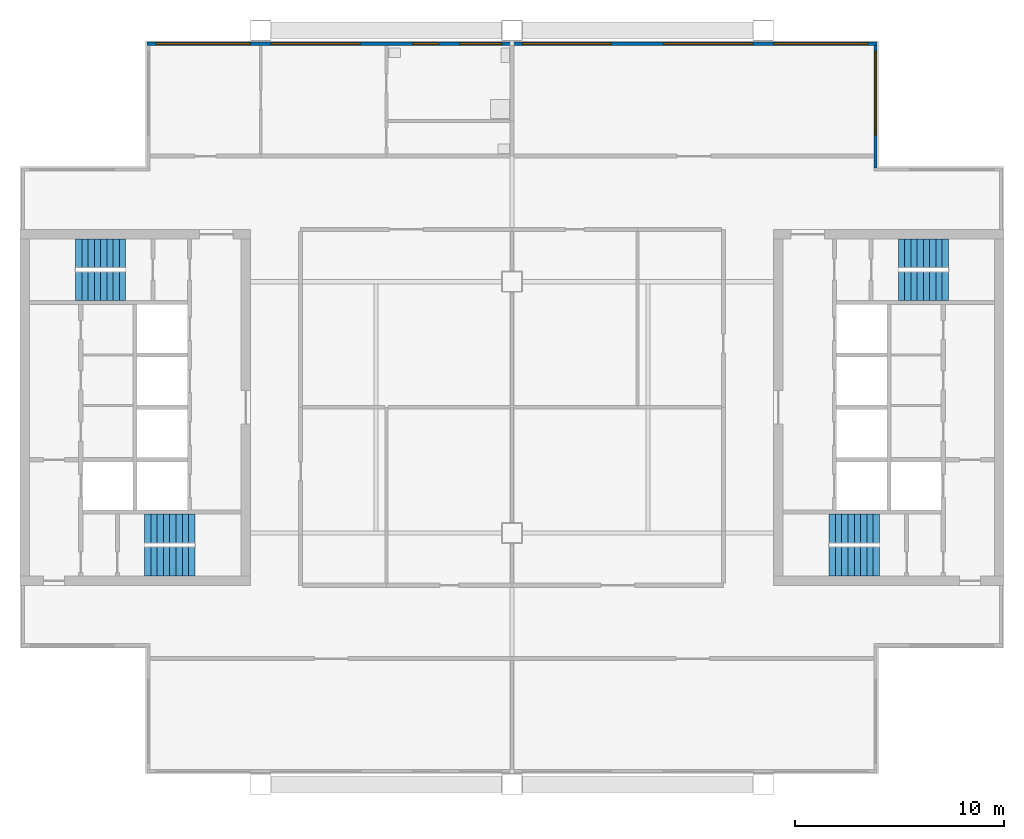
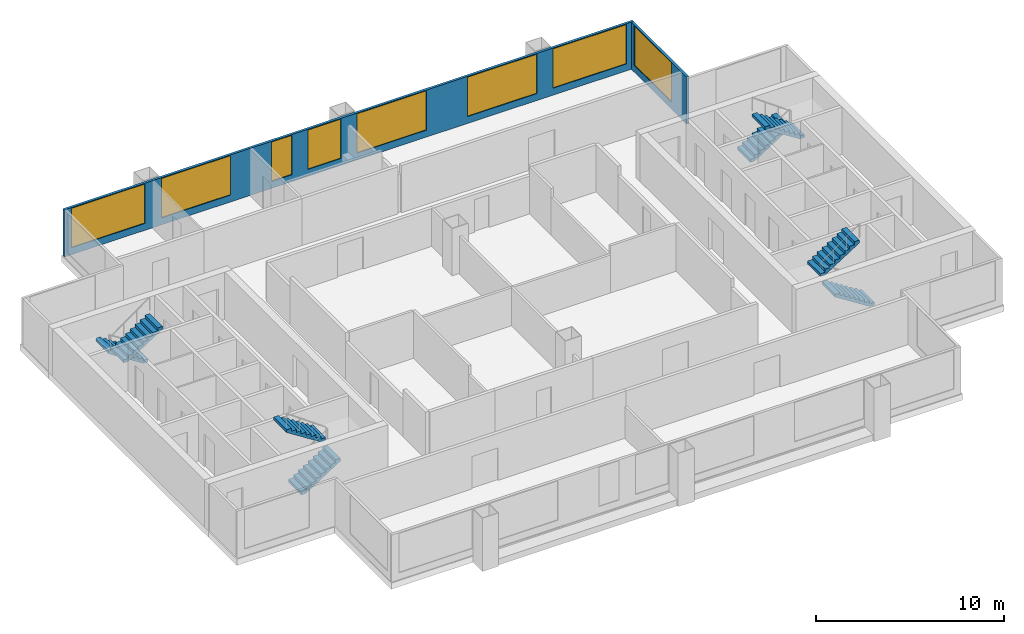
# One storey, part 5 of 7: 8 stair flights, 8 windows, 2 walls, 8 openings, 4 elements without a shape of their own.
"""IFC4 building model written with IfcOpenShell, lengths in metres."""

from ifc_helpers import new_model, si_unit, direction, frame, frame_2d, origin, place, context, subcontext, project, spatial, polyline, rectangle, outline, extrude, material, layer, layer_set, type_object, element, fill, aggregate, save


model = new_model("IFC4")

# Units and contexts
model_context = context("Model", 3, precision=1e-05, world=origin(), true_north=direction((0.0, 1.0)))
body_context = subcontext(model_context, "Body", "Model", "MODEL_VIEW")
ifc_project = project(units=[si_unit("LENGTHUNIT", "METRE"), si_unit("AREAUNIT", "SQUARE_METRE"), si_unit("VOLUMEUNIT", "CUBIC_METRE"), si_unit("PLANEANGLEUNIT", "RADIAN"), si_unit("MASSUNIT", "GRAM", prefix="KILO")], contexts=[model_context])

# Site, building, storey
site_placement = place(None, origin())
site = spatial("IfcSite", under=ifc_project, at=site_placement, CompositionType="ELEMENT")
building_placement = place(site_placement, origin())
building = spatial("IfcBuilding", under=site, at=building_placement, Name="Kitamizu Gate Tower and Museum", CompositionType="ELEMENT")
storey_placement = place(building_placement, frame((0.0, 0.0, 269.699951171875)))
storey = spatial("IfcBuildingStorey", under=building, at=storey_placement, Name="L73", CompositionType="ELEMENT", Elevation=269.699951171875)

# Wall, opening, window
ifc_material_1 = material(Name="Bronze anodised aluminium frame with insulated spandrel and tinted glass", Category="aluminium")
ifc_layer = layer(ifc_material_1, 0.14990234375)
ifc_layer_set = layer_set([ifc_layer], Name="Bronze anodised aluminium frame with insulated spandrel and tinted glass")
wall_type = type_object("IfcWallType", Name="WINDOW WALL 150 BRONZE FRAME EI 30", PredefinedType="ELEMENTEDWALL", material=ifc_layer_set)
wall_1_placement = place(storey_placement, frame((53.364990234375, 41.43994140625, 0.0), z_axis=(0.0, 0.0, 1.0), x_axis=(0.0, 1.0, 0.0)))
wall_1 = element("IfcWall", 1, at=wall_1_placement, inside=storey, type_object=wall_type, Name="Window wall east L73", PredefinedType="ELEMENTEDWALL", context=body_context, shape_type="SweptSolid", body=[
    extrude(rectangle(XDim=5.85009765625, YDim=0.14990234375, at=frame_2d((2.925048828125, 0.0))), origin(), (0.0, 0.0, 1.0), 3.050048828125),
])
opening_1_placement = place(wall_1_placement, frame((1.56005859375, 0.0, 0.449951171875)))
opening_1 = element("IfcOpeningElement", 2, at=opening_1_placement, cuts=wall_1, Name="Opening W16", PredefinedType="OPENING", context=body_context, shape_type="SweptSolid", body=[
    extrude(rectangle(XDim=4.0, YDim=2.550048828125, at=frame_2d((2.0, 1.27490234375))), frame((0.0, 0.0849609375, 0.0), z_axis=(0.0, -1.0, 0.0), x_axis=(1.0, 0.0, 0.0)), (0.0, 0.0, 1.0), 0.169921875),
])
ifc_material_2 = material(Name="Bronze anodised aluminium frame, tinted triple glazing", Category="aluminium")
window_type_1 = type_object("IfcWindowType", Name="WINDOW 4000 x 2550 SILL 450", PartitioningType="SINGLE_PANEL", PredefinedType="WINDOW", material=ifc_material_2)
window_1_placement = place(opening_1_placement, origin())
window_1 = element("IfcWindow", 3, at=window_1_placement, inside=storey, type_object=window_type_1, Name="Window W16 L73", OverallHeight=2.550048828125, OverallWidth=4.0, PartitioningType="SINGLE_PANEL", PredefinedType="WINDOW", context=body_context, shape_type="SweptSolid", body=[
    extrude(rectangle(XDim=4.0, YDim=2.550048828125, at=frame_2d((2.0, 1.27490234375))), frame((0.0, 0.030029296875, 0.0), z_axis=(0.0, -1.0, 0.0), x_axis=(1.0, 0.0, 0.0)), (0.0, 0.0, 1.0), 0.06005859375),
])
fill(opening_1, window_1)

# Wall, openings, windows
wall_2_placement = place(storey_placement, frame((18.56005859375, 47.364990234375, 0.0), z_axis=(0.0, 0.0, 1.0), x_axis=(1.0, 0.0, 0.0)))
wall_2 = element("IfcWall", 4, at=wall_2_placement, inside=storey, type_object=wall_type, Name="Window wall north L73", PredefinedType="ELEMENTEDWALL", context=body_context, shape_type="SweptSolid", body=[
    extrude(rectangle(XDim=34.8798828125, YDim=0.14990234375, at=frame_2d((17.43994140625, 0.0))), origin(), (0.0, 0.0, 1.0), 3.050048828125),
])
opening_2_placement = place(wall_2_placement, frame((0.43994140625, 0.0, 0.449951171875)))
opening_2 = element("IfcOpeningElement", 5, at=opening_2_placement, cuts=wall_2, Name="Opening W15", PredefinedType="OPENING", context=body_context, shape_type="SweptSolid", body=[
    extrude(rectangle(XDim=4.5, YDim=2.550048828125, at=frame_2d((2.25, 1.27490234375))), frame((0.0, 0.0849609375, 0.0), z_axis=(0.0, -1.0, 0.0), x_axis=(1.0, 0.0, 0.0)), (0.0, 0.0, 1.0), 0.169921875),
])
opening_3_placement = place(wall_2_placement, frame((5.93994140625, 0.0, 0.449951171875)))
opening_3 = element("IfcOpeningElement", 6, at=opening_3_placement, cuts=wall_2, Name="Opening W37", PredefinedType="OPENING", context=body_context, shape_type="SweptSolid", body=[
    extrude(rectangle(XDim=4.25, YDim=2.550048828125, at=frame_2d((2.125, 1.27490234375))), frame((0.0, 0.0849609375, 0.0), z_axis=(0.0, -1.0, 0.0), x_axis=(1.0, 0.0, 0.0)), (0.0, 0.0, 1.0), 0.169921875),
])
opening_4_placement = place(wall_2_placement, frame((12.68994140625, 0.0, 0.449951171875)))
opening_4 = element("IfcOpeningElement", 7, at=opening_4_placement, cuts=wall_2, Name="Opening W27", PredefinedType="OPENING", context=body_context, shape_type="SweptSolid", body=[
    extrude(rectangle(XDim=1.25, YDim=2.550048828125, at=frame_2d((0.625, 1.27490234375))), frame((0.0, 0.0849609375, 0.0), z_axis=(0.0, -1.0, 0.0), x_axis=(1.0, 0.0, 0.0)), (0.0, 0.0, 1.0), 0.169921875),
])
opening_5_placement = place(wall_2_placement, frame((14.93994140625, 0.0, 0.449951171875)))
opening_5 = element("IfcOpeningElement", 8, at=opening_5_placement, cuts=wall_2, Name="Opening W2", PredefinedType="OPENING", context=body_context, shape_type="SweptSolid", body=[
    extrude(rectangle(XDim=2.0, YDim=2.550048828125, at=frame_2d((1.0, 1.27490234375))), frame((0.0, 0.0849609375, 0.0), z_axis=(0.0, -1.0, 0.0), x_axis=(1.0, 0.0, 0.0)), (0.0, 0.0, 1.0), 0.169921875),
])
opening_6_placement = place(wall_2_placement, frame((17.93994140625, 0.0, 0.449951171875)))
opening_6 = element("IfcOpeningElement", 9, at=opening_6_placement, cuts=wall_2, Name="Opening W37", PredefinedType="OPENING", context=body_context, shape_type="SweptSolid", body=[
    extrude(rectangle(XDim=4.25, YDim=2.550048828125, at=frame_2d((2.125, 1.27490234375))), frame((0.0, 0.0849609375, 0.0), z_axis=(0.0, -1.0, 0.0), x_axis=(1.0, 0.0, 0.0)), (0.0, 0.0, 1.0), 0.169921875),
])
opening_7_placement = place(wall_2_placement, frame((24.68994140625, 0.0, 0.449951171875)))
opening_7 = element("IfcOpeningElement", 10, at=opening_7_placement, cuts=wall_2, Name="Opening W37", PredefinedType="OPENING", context=body_context, shape_type="SweptSolid", body=[
    extrude(rectangle(XDim=4.25, YDim=2.550048828125, at=frame_2d((2.125, 1.27490234375))), frame((0.0, 0.0849609375, 0.0), z_axis=(0.0, -1.0, 0.0), x_axis=(1.0, 0.0, 0.0)), (0.0, 0.0, 1.0), 0.169921875),
])
opening_8_placement = place(wall_2_placement, frame((29.93994140625, 0.0, 0.449951171875)))
opening_8 = element("IfcOpeningElement", 11, at=opening_8_placement, cuts=wall_2, Name="Opening W15", PredefinedType="OPENING", context=body_context, shape_type="SweptSolid", body=[
    extrude(rectangle(XDim=4.5, YDim=2.550048828125, at=frame_2d((2.25, 1.27490234375))), frame((0.0, 0.0849609375, 0.0), z_axis=(0.0, -1.0, 0.0), x_axis=(1.0, 0.0, 0.0)), (0.0, 0.0, 1.0), 0.169921875),
])
ifc_material_3 = material(Name="Bronze anodised aluminium frame, tinted triple glazing", Category="aluminium")
window_type_2 = type_object("IfcWindowType", Name="WINDOW 1250 x 2550 SILL 450", PartitioningType="SINGLE_PANEL", PredefinedType="WINDOW", material=ifc_material_3)
window_2_placement = place(opening_4_placement, origin())
window_2 = element("IfcWindow", 12, at=window_2_placement, inside=storey, type_object=window_type_2, Name="Window W27 L73", OverallHeight=2.550048828125, OverallWidth=1.25, PartitioningType="SINGLE_PANEL", PredefinedType="WINDOW", context=body_context, shape_type="SweptSolid", body=[
    extrude(rectangle(XDim=1.25, YDim=2.550048828125, at=frame_2d((0.625, 1.27490234375))), frame((0.0, 0.030029296875, 0.0), z_axis=(0.0, -1.0, 0.0), x_axis=(1.0, 0.0, 0.0)), (0.0, 0.0, 1.0), 0.06005859375),
])
fill(opening_4, window_2)
ifc_material_4 = material(Name="Bronze anodised aluminium frame, tinted triple glazing", Category="aluminium")
window_type_3 = type_object("IfcWindowType", Name="WINDOW 2000 x 2550 SILL 450", PartitioningType="SINGLE_PANEL", PredefinedType="WINDOW", material=ifc_material_4)
window_3_placement = place(opening_5_placement, origin())
window_3 = element("IfcWindow", 13, at=window_3_placement, inside=storey, type_object=window_type_3, Name="Window W2 L73", OverallHeight=2.550048828125, OverallWidth=2.0, PartitioningType="SINGLE_PANEL", PredefinedType="WINDOW", context=body_context, shape_type="SweptSolid", body=[
    extrude(rectangle(XDim=2.0, YDim=2.550048828125, at=frame_2d((1.0, 1.27490234375))), frame((0.0, 0.030029296875, 0.0), z_axis=(0.0, -1.0, 0.0), x_axis=(1.0, 0.0, 0.0)), (0.0, 0.0, 1.0), 0.06005859375),
])
fill(opening_5, window_3)
ifc_material_5 = material(Name="Bronze anodised aluminium frame, tinted triple glazing", Category="aluminium")
window_type_4 = type_object("IfcWindowType", Name="WINDOW 4250 x 2550 SILL 450", PartitioningType="SINGLE_PANEL", PredefinedType="WINDOW", material=ifc_material_5)
window_4_placement = place(opening_3_placement, origin())
window_4 = element("IfcWindow", 14, at=window_4_placement, inside=storey, type_object=window_type_4, Name="Window W37 L73", OverallHeight=2.550048828125, OverallWidth=4.25, PartitioningType="SINGLE_PANEL", PredefinedType="WINDOW", context=body_context, shape_type="SweptSolid", body=[
    extrude(rectangle(XDim=4.25, YDim=2.550048828125, at=frame_2d((2.125, 1.27490234375))), frame((0.0, 0.030029296875, 0.0), z_axis=(0.0, -1.0, 0.0), x_axis=(1.0, 0.0, 0.0)), (0.0, 0.0, 1.0), 0.06005859375),
])
fill(opening_3, window_4)
window_5_placement = place(opening_6_placement, origin())
window_5 = element("IfcWindow", 15, at=window_5_placement, inside=storey, type_object=window_type_4, Name="Window W37 L73", OverallHeight=2.550048828125, OverallWidth=4.25, PartitioningType="SINGLE_PANEL", PredefinedType="WINDOW", context=body_context, shape_type="SweptSolid", body=[
    extrude(rectangle(XDim=4.25, YDim=2.550048828125, at=frame_2d((2.125, 1.27490234375))), frame((0.0, 0.030029296875, 0.0), z_axis=(0.0, -1.0, 0.0), x_axis=(1.0, 0.0, 0.0)), (0.0, 0.0, 1.0), 0.06005859375),
])
fill(opening_6, window_5)
window_6_placement = place(opening_7_placement, origin())
window_6 = element("IfcWindow", 16, at=window_6_placement, inside=storey, type_object=window_type_4, Name="Window W37 L73", OverallHeight=2.550048828125, OverallWidth=4.25, PartitioningType="SINGLE_PANEL", PredefinedType="WINDOW", context=body_context, shape_type="SweptSolid", body=[
    extrude(rectangle(XDim=4.25, YDim=2.550048828125, at=frame_2d((2.125, 1.27490234375))), frame((0.0, 0.030029296875, 0.0), z_axis=(0.0, -1.0, 0.0), x_axis=(1.0, 0.0, 0.0)), (0.0, 0.0, 1.0), 0.06005859375),
])
fill(opening_7, window_6)
ifc_material_6 = material(Name="Bronze anodised aluminium frame, tinted triple glazing", Category="aluminium")
window_type_5 = type_object("IfcWindowType", Name="WINDOW 4500 x 2550 SILL 450", PartitioningType="SINGLE_PANEL", PredefinedType="WINDOW", material=ifc_material_6)
window_7_placement = place(opening_2_placement, origin())
window_7 = element("IfcWindow", 17, at=window_7_placement, inside=storey, type_object=window_type_5, Name="Window W15 L73", OverallHeight=2.550048828125, OverallWidth=4.5, PartitioningType="SINGLE_PANEL", PredefinedType="WINDOW", context=body_context, shape_type="SweptSolid", body=[
    extrude(rectangle(XDim=4.5, YDim=2.550048828125, at=frame_2d((2.25, 1.27490234375))), frame((0.0, 0.030029296875, 0.0), z_axis=(0.0, -1.0, 0.0), x_axis=(1.0, 0.0, 0.0)), (0.0, 0.0, 1.0), 0.06005859375),
])
fill(opening_2, window_7)
window_8_placement = place(opening_8_placement, origin())
window_8 = element("IfcWindow", 18, at=window_8_placement, inside=storey, type_object=window_type_5, Name="Window W15 L73", OverallHeight=2.550048828125, OverallWidth=4.5, PartitioningType="SINGLE_PANEL", PredefinedType="WINDOW", context=body_context, shape_type="SweptSolid", body=[
    extrude(rectangle(XDim=4.5, YDim=2.550048828125, at=frame_2d((2.25, 1.27490234375))), frame((0.0, 0.030029296875, 0.0), z_axis=(0.0, -1.0, 0.0), x_axis=(1.0, 0.0, 0.0)), (0.0, 0.0, 1.0), 0.06005859375),
])
fill(opening_8, window_8)

# Stair, stair flights
ifc_material_7 = material(Name="Concrete Fc42", Category="concrete")
stair_type = type_object("IfcStairType", Name="Exit stair 1375 wide 192 rise 300 going", PredefinedType="HALF_TURN_STAIR", material=ifc_material_7)
stair_1_placement = place(storey_placement, origin())
stair_1 = element("IfcStair", 19, at=stair_1_placement, inside=storey, type_object=stair_type, Name="Exit stair ST1", PredefinedType="HALF_TURN_STAIR")
ifc_material_8 = material(Name="Concrete Fc42", Category="concrete")
stair_flight_type = type_object("IfcStairFlightType", Name="Stair flight 1375 wide 192 rise 300 going", PredefinedType="STRAIGHT", material=ifc_material_8)
stair_flight_1_placement = place(storey_placement, frame((18.449951171875, 22.637451171875, 0.0), z_axis=(0.0, 0.0, 1.0), x_axis=(1.0, 0.0, 0.0)))
stair_flight_1 = element("IfcStairFlight", 20, at=stair_flight_1_placement, type_object=stair_flight_type, Name="ST1 flight 1", NumberOfRisers=9, NumberOfTreads=8, PredefinedType="STRAIGHT", RiserHeight=0.191666667, TreadLength=0.3, context=body_context, shape_type="SweptSolid", body=[
    extrude(outline(polyline([(0.0, 0.0), (0.0, 0.191650390625), (0.300048828125, 0.191650390625), (0.300048828125, 0.38330078125), (0.60009765625, 0.38330078125), (0.60009765625, 0.574951171875), (0.89990234375, 0.574951171875), (0.89990234375, 0.7666015625), (1.199951171875, 0.7666015625), (1.199951171875, 0.958251953125), (1.5, 0.958251953125), (1.5, 1.14990234375), (1.800048828125, 1.14990234375), (1.800048828125, 1.341552734375), (2.10009765625, 1.341552734375), (2.10009765625, 1.533447265625), (2.39990234375, 1.533447265625), (2.39990234375, 1.72509765625), (2.39990234375, 1.35546875), (0.2783203125, 0.0), (0.0, 0.0)])), frame((0.0, 0.6875, 0.0), z_axis=(0.0, -1.0, 0.0), x_axis=(1.0, 0.0, 0.0)), (0.0, 0.0, 1.0), 1.375),
])
stair_flight_2_placement = place(storey_placement, frame((20.85009765625, 24.21240234375, 1.72509765625), z_axis=(0.0, 0.0, 1.0), x_axis=(-1.0, 0.0, 0.0)))
stair_flight_2 = element("IfcStairFlight", 21, at=stair_flight_2_placement, type_object=stair_flight_type, Name="ST1 flight 2", NumberOfRisers=9, NumberOfTreads=8, PredefinedType="STRAIGHT", RiserHeight=0.191666667, TreadLength=0.3, context=body_context, shape_type="SweptSolid", body=[
    extrude(outline(polyline([(0.0, 0.0), (0.0, 0.191650390625), (0.300048828125, 0.191650390625), (0.300048828125, 0.38330078125), (0.60009765625, 0.38330078125), (0.60009765625, 0.574951171875), (0.89990234375, 0.574951171875), (0.89990234375, 0.7666015625), (1.199951171875, 0.7666015625), (1.199951171875, 0.958251953125), (1.5, 0.958251953125), (1.5, 1.14990234375), (1.800048828125, 1.14990234375), (1.800048828125, 1.341552734375), (2.10009765625, 1.341552734375), (2.10009765625, 1.533447265625), (2.39990234375, 1.533447265625), (2.39990234375, 1.72509765625), (2.39990234375, 1.35546875), (0.2783203125, 0.0), (0.0, 0.0)])), frame((0.0, 0.6875, 0.0), z_axis=(0.0, -1.0, 0.0), x_axis=(1.0, 0.0, 0.0)), (0.0, 0.0, 1.0), 1.375),
])
aggregate(stair_1, [stair_flight_1, stair_flight_2])

stair_2_placement = place(storey_placement, origin())
stair_2 = element("IfcStair", 22, at=stair_2_placement, inside=storey, type_object=stair_type, Name="Exit stair ST2", PredefinedType="HALF_TURN_STAIR")
stair_flight_3_placement = place(storey_placement, frame((17.550048828125, 37.362548828125, 0.0), z_axis=(0.0, 0.0, 1.0), x_axis=(-1.0, 0.0, 0.0)))
stair_flight_3 = element("IfcStairFlight", 23, at=stair_flight_3_placement, type_object=stair_flight_type, Name="ST2 flight 1", NumberOfRisers=9, NumberOfTreads=8, PredefinedType="STRAIGHT", RiserHeight=0.191666667, TreadLength=0.3, context=body_context, shape_type="SweptSolid", body=[
    extrude(outline(polyline([(0.0, 0.0), (0.0, 0.191650390625), (0.300048828125, 0.191650390625), (0.300048828125, 0.38330078125), (0.60009765625, 0.38330078125), (0.60009765625, 0.574951171875), (0.89990234375, 0.574951171875), (0.89990234375, 0.7666015625), (1.199951171875, 0.7666015625), (1.199951171875, 0.958251953125), (1.5, 0.958251953125), (1.5, 1.14990234375), (1.800048828125, 1.14990234375), (1.800048828125, 1.341552734375), (2.10009765625, 1.341552734375), (2.10009765625, 1.533447265625), (2.39990234375, 1.533447265625), (2.39990234375, 1.72509765625), (2.39990234375, 1.35546875), (0.2783203125, 0.0), (0.0, 0.0)])), frame((0.0, 0.6875, 0.0), z_axis=(0.0, -1.0, 0.0), x_axis=(1.0, 0.0, 0.0)), (0.0, 0.0, 1.0), 1.375),
])
stair_flight_4_placement = place(storey_placement, frame((15.14990234375, 35.78759765625, 1.72509765625), z_axis=(0.0, 0.0, 1.0), x_axis=(1.0, 0.0, 0.0)))
stair_flight_4 = element("IfcStairFlight", 24, at=stair_flight_4_placement, type_object=stair_flight_type, Name="ST2 flight 2", NumberOfRisers=9, NumberOfTreads=8, PredefinedType="STRAIGHT", RiserHeight=0.191666667, TreadLength=0.3, context=body_context, shape_type="SweptSolid", body=[
    extrude(outline(polyline([(0.0, 0.0), (0.0, 0.191650390625), (0.300048828125, 0.191650390625), (0.300048828125, 0.38330078125), (0.60009765625, 0.38330078125), (0.60009765625, 0.574951171875), (0.89990234375, 0.574951171875), (0.89990234375, 0.7666015625), (1.199951171875, 0.7666015625), (1.199951171875, 0.958251953125), (1.5, 0.958251953125), (1.5, 1.14990234375), (1.800048828125, 1.14990234375), (1.800048828125, 1.341552734375), (2.10009765625, 1.341552734375), (2.10009765625, 1.533447265625), (2.39990234375, 1.533447265625), (2.39990234375, 1.72509765625), (2.39990234375, 1.35546875), (0.2783203125, 0.0), (0.0, 0.0)])), frame((0.0, 0.6875, 0.0), z_axis=(0.0, -1.0, 0.0), x_axis=(1.0, 0.0, 0.0)), (0.0, 0.0, 1.0), 1.375),
])
aggregate(stair_2, [stair_flight_3, stair_flight_4])

stair_3_placement = place(storey_placement, origin())
stair_3 = element("IfcStair", 25, at=stair_3_placement, inside=storey, type_object=stair_type, Name="Exit stair ST3", PredefinedType="HALF_TURN_STAIR")
stair_flight_5_placement = place(storey_placement, frame((53.550048828125, 22.637451171875, 0.0), z_axis=(0.0, 0.0, 1.0), x_axis=(-1.0, 0.0, 0.0)))
stair_flight_5 = element("IfcStairFlight", 26, at=stair_flight_5_placement, type_object=stair_flight_type, Name="ST3 flight 1", NumberOfRisers=9, NumberOfTreads=8, PredefinedType="STRAIGHT", RiserHeight=0.191666667, TreadLength=0.3, context=body_context, shape_type="SweptSolid", body=[
    extrude(outline(polyline([(0.0, 0.0), (0.0, 0.191650390625), (0.300048828125, 0.191650390625), (0.300048828125, 0.38330078125), (0.60009765625, 0.38330078125), (0.60009765625, 0.574951171875), (0.89990234375, 0.574951171875), (0.89990234375, 0.7666015625), (1.199951171875, 0.7666015625), (1.199951171875, 0.958251953125), (1.5, 0.958251953125), (1.5, 1.14990234375), (1.800048828125, 1.14990234375), (1.800048828125, 1.341552734375), (2.10009765625, 1.341552734375), (2.10009765625, 1.533447265625), (2.39990234375, 1.533447265625), (2.39990234375, 1.72509765625), (2.39990234375, 1.35546875), (0.2783203125, 0.0), (0.0, 0.0)])), frame((0.0, 0.6875, 0.0), z_axis=(0.0, -1.0, 0.0), x_axis=(1.0, 0.0, 0.0)), (0.0, 0.0, 1.0), 1.375),
])
stair_flight_6_placement = place(storey_placement, frame((51.14990234375, 24.21240234375, 1.72509765625), z_axis=(0.0, 0.0, 1.0), x_axis=(1.0, 0.0, 0.0)))
stair_flight_6 = element("IfcStairFlight", 27, at=stair_flight_6_placement, type_object=stair_flight_type, Name="ST3 flight 2", NumberOfRisers=9, NumberOfTreads=8, PredefinedType="STRAIGHT", RiserHeight=0.191666667, TreadLength=0.3, context=body_context, shape_type="SweptSolid", body=[
    extrude(outline(polyline([(0.0, 0.0), (0.0, 0.191650390625), (0.300048828125, 0.191650390625), (0.300048828125, 0.38330078125), (0.60009765625, 0.38330078125), (0.60009765625, 0.574951171875), (0.89990234375, 0.574951171875), (0.89990234375, 0.7666015625), (1.199951171875, 0.7666015625), (1.199951171875, 0.958251953125), (1.5, 0.958251953125), (1.5, 1.14990234375), (1.800048828125, 1.14990234375), (1.800048828125, 1.341552734375), (2.10009765625, 1.341552734375), (2.10009765625, 1.533447265625), (2.39990234375, 1.533447265625), (2.39990234375, 1.72509765625), (2.39990234375, 1.35546875), (0.2783203125, 0.0), (0.0, 0.0)])), frame((0.0, 0.6875, 0.0), z_axis=(0.0, -1.0, 0.0), x_axis=(1.0, 0.0, 0.0)), (0.0, 0.0, 1.0), 1.375),
])
aggregate(stair_3, [stair_flight_5, stair_flight_6])

stair_4_placement = place(storey_placement, origin())
stair_4 = element("IfcStair", 28, at=stair_4_placement, inside=storey, type_object=stair_type, Name="Exit stair ST4", PredefinedType="HALF_TURN_STAIR")
stair_flight_7_placement = place(storey_placement, frame((54.449951171875, 37.362548828125, 0.0), z_axis=(0.0, 0.0, 1.0), x_axis=(1.0, 0.0, 0.0)))
stair_flight_7 = element("IfcStairFlight", 29, at=stair_flight_7_placement, type_object=stair_flight_type, Name="ST4 flight 1", NumberOfRisers=9, NumberOfTreads=8, PredefinedType="STRAIGHT", RiserHeight=0.191666667, TreadLength=0.3, context=body_context, shape_type="SweptSolid", body=[
    extrude(outline(polyline([(0.0, 0.0), (0.0, 0.191650390625), (0.300048828125, 0.191650390625), (0.300048828125, 0.38330078125), (0.60009765625, 0.38330078125), (0.60009765625, 0.574951171875), (0.89990234375, 0.574951171875), (0.89990234375, 0.7666015625), (1.199951171875, 0.7666015625), (1.199951171875, 0.958251953125), (1.5, 0.958251953125), (1.5, 1.14990234375), (1.800048828125, 1.14990234375), (1.800048828125, 1.341552734375), (2.10009765625, 1.341552734375), (2.10009765625, 1.533447265625), (2.39990234375, 1.533447265625), (2.39990234375, 1.72509765625), (2.39990234375, 1.35546875), (0.2783203125, 0.0), (0.0, 0.0)])), frame((0.0, 0.6875, 0.0), z_axis=(0.0, -1.0, 0.0), x_axis=(1.0, 0.0, 0.0)), (0.0, 0.0, 1.0), 1.375),
])
stair_flight_8_placement = place(storey_placement, frame((56.85009765625, 35.78759765625, 1.72509765625), z_axis=(0.0, 0.0, 1.0), x_axis=(-1.0, 0.0, 0.0)))
stair_flight_8 = element("IfcStairFlight", 30, at=stair_flight_8_placement, type_object=stair_flight_type, Name="ST4 flight 2", NumberOfRisers=9, NumberOfTreads=8, PredefinedType="STRAIGHT", RiserHeight=0.191666667, TreadLength=0.3, context=body_context, shape_type="SweptSolid", body=[
    extrude(outline(polyline([(0.0, 0.0), (0.0, 0.191650390625), (0.300048828125, 0.191650390625), (0.300048828125, 0.38330078125), (0.60009765625, 0.38330078125), (0.60009765625, 0.574951171875), (0.89990234375, 0.574951171875), (0.89990234375, 0.7666015625), (1.199951171875, 0.7666015625), (1.199951171875, 0.958251953125), (1.5, 0.958251953125), (1.5, 1.14990234375), (1.800048828125, 1.14990234375), (1.800048828125, 1.341552734375), (2.10009765625, 1.341552734375), (2.10009765625, 1.533447265625), (2.39990234375, 1.533447265625), (2.39990234375, 1.72509765625), (2.39990234375, 1.35546875), (0.2783203125, 0.0), (0.0, 0.0)])), frame((0.0, 0.6875, 0.0), z_axis=(0.0, -1.0, 0.0), x_axis=(1.0, 0.0, 0.0)), (0.0, 0.0, 1.0), 1.375),
])
aggregate(stair_4, [stair_flight_7, stair_flight_8])

save(model, "model.ifc")
